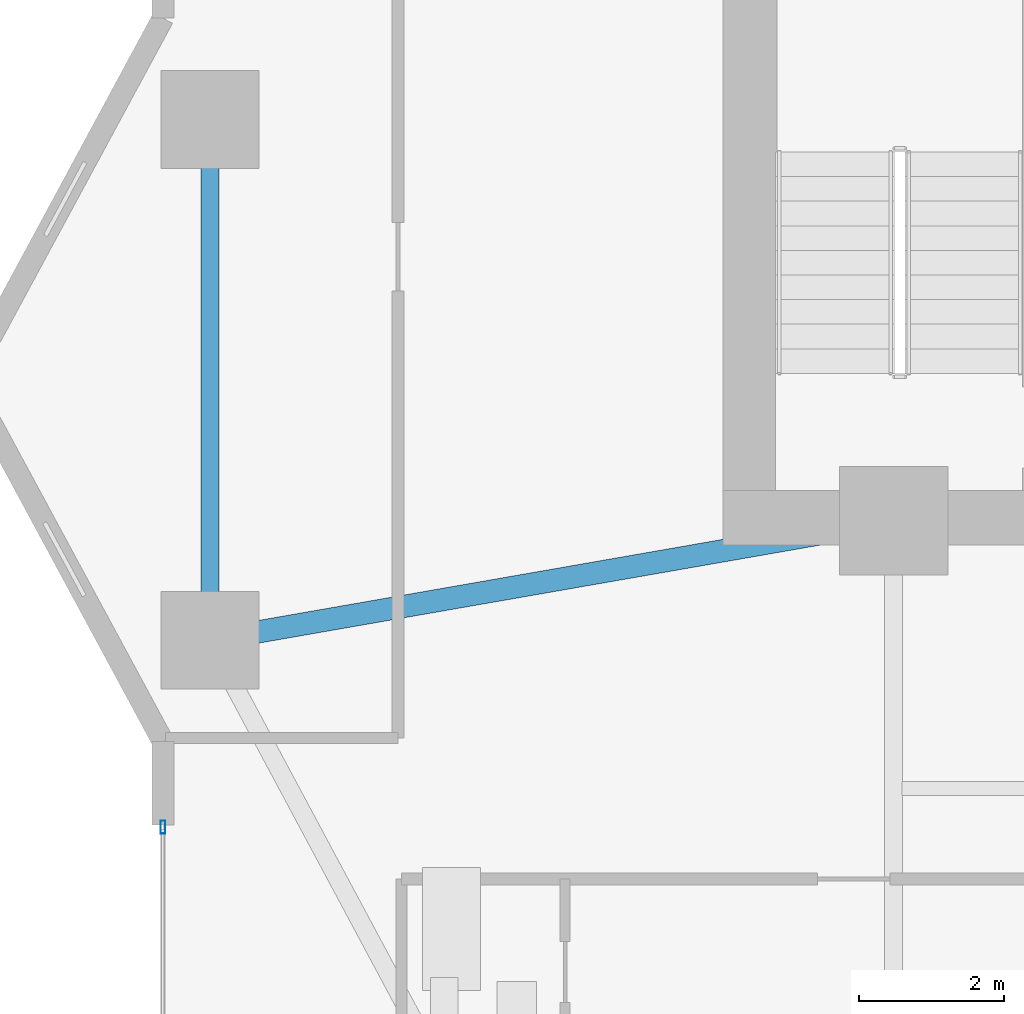
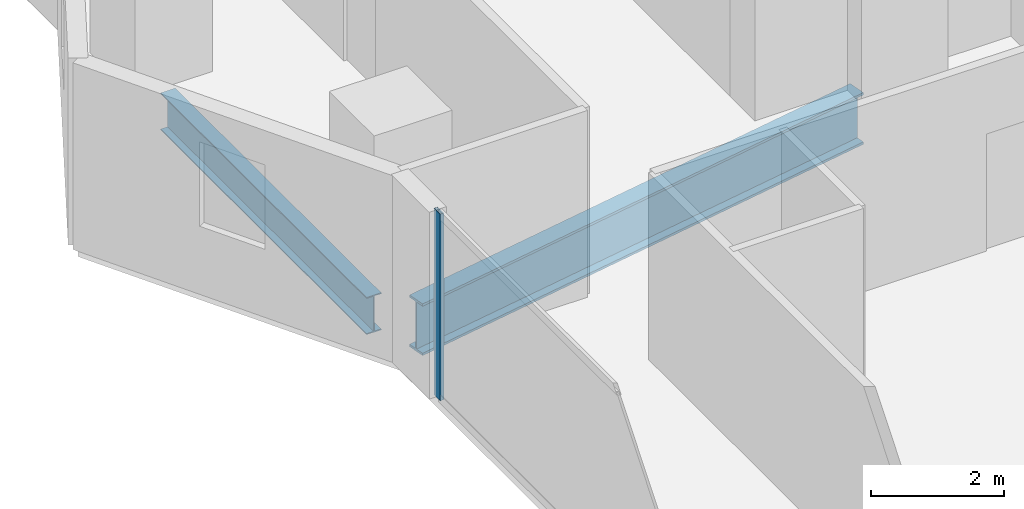
# One storey, part 7 of 30: 2 beams, 1 member, 1 element without a shape of its own.
"""IFC4 building model written with IfcOpenShell, lengths in metres."""

from ifc_helpers import new_model, si_unit, direction, frame, origin, origin_2d, place, context, subcontext, project, spatial, hollow_rectangle, i_section, extrude, material, layer, layer_set, material_profile, profile_set, type_object, element, aggregate, save


model = new_model("IFC4")

# Units and contexts
model_context = context("Model", 3, precision=1e-05, world=origin(), true_north=direction((0.0, 1.0)))
body_context = subcontext(model_context, "Body", "Model", "MODEL_VIEW")
ifc_project = project(units=[si_unit("LENGTHUNIT", "METRE"), si_unit("AREAUNIT", "SQUARE_METRE"), si_unit("VOLUMEUNIT", "CUBIC_METRE"), si_unit("PLANEANGLEUNIT", "RADIAN"), si_unit("MASSUNIT", "GRAM", prefix="KILO")], contexts=[model_context])

# Site, building, storey
site_placement = place(None, origin())
site = spatial("IfcSite", under=ifc_project, at=site_placement, CompositionType="ELEMENT")
building_placement = place(site_placement, origin())
building = spatial("IfcBuilding", under=site, at=building_placement, Name="Zuhayl Quay Hotel", CompositionType="ELEMENT")
storey_placement = place(building_placement, frame((0.0, 0.0, 135.800048828125)))
storey = spatial("IfcBuildingStorey", under=building, at=storey_placement, Name="L34", CompositionType="ELEMENT", Elevation=135.800048828125)

# Beams
ifc_material_1 = material(Name="Steel ASTM A992 Grade 50", Category="steel")
ifc_material_profile_1 = material_profile(ifc_material_1, i_section(OverallWidth=0.25390625, OverallDepth=0.68310546875, WebThickness=0.012451171875, FlangeThickness=0.018798828125, at=origin_2d()), Name="W27X94")
ifc_profile_set_1 = profile_set([ifc_material_profile_1], Name="Steel ASTM A992 Grade 50")
beam_type_1 = type_object("IfcBeamType", Name="BM_B2_W27X94", PredefinedType="BEAM", material=ifc_profile_set_1)
beam_1_placement = place(storey_placement, frame((-23.25, 9.60009765625, -0.5615234375), z_axis=(0.0, -1.0, 0.0), x_axis=(1.0, 0.0, 0.0)))
element("IfcBeam", 1, at=beam_1_placement, inside=storey, type_object=beam_type_1, Name="L34 Floor Beam RG_L34_11", PredefinedType="BEAM", context=body_context, shape_type="SweptSolid", body=[
    extrude(i_section(OverallWidth=0.25390625, OverallDepth=0.68310546875, WebThickness=0.012451171875, FlangeThickness=0.018798828125, at=origin_2d()), origin(), (0.0, 0.0, 1.0), 6.2001953125),
])
ifc_material_profile_2 = material_profile(ifc_material_1, i_section(OverallWidth=0.31005859375, OverallDepth=0.949951171875, WebThickness=0.0244140625, FlangeThickness=0.0439453125, at=origin_2d()), Name="W36X256")
ifc_profile_set_2 = profile_set([ifc_material_profile_2], Name="Steel ASTM A992 Grade 50")
beam_type_2 = type_object("IfcBeamType", Name="BM_PG1_W36X256", PredefinedType="BEAM", material=ifc_profile_set_2)
beam_2_placement = place(storey_placement, frame((-22.757568359375, 2.986083984375, -0.695068359375), z_axis=(0.985097302632, 0.171997977741, 0.0), x_axis=(-0.171997977741, 0.985097302632, 0.0)))
element("IfcBeam", 2, at=beam_2_placement, inside=storey, type_object=beam_type_2, Name="L34 Floor Beam FG_W_L34_1", PredefinedType="BEAM", context=body_context, shape_type="SweptSolid", body=[
    extrude(i_section(OverallWidth=0.31005859375, OverallDepth=0.949951171875, WebThickness=0.0244140625, FlangeThickness=0.0439453125, at=origin_2d()), origin(), (0.0, 0.0, 1.0), 8.64306640625),
])

# Curtain wall, member
ifc_material_2 = material(Name="Anodised Aluminium 6063-T6", Category="aluminium")
ifc_layer = layer(ifc_material_2, 0.179931640625, Name="Anodised Aluminium 6063-T6", Category="aluminium")
ifc_layer_set = layer_set([ifc_layer], Name="Anodised Aluminium 6063-T6")
curtain_wall_type = type_object("IfcCurtainWallType", Name="CW_SYS_Z2", PredefinedType="USERDEFINED", material=ifc_layer_set)
curtain_wall_placement = place(storey_placement, origin())
curtain_wall = element("IfcCurtainWall", 3, at=curtain_wall_placement, inside=storey, type_object=curtain_wall_type, Name="L34 Curtain Wall ENV_L34_E02_CW1", ObjectType="UNITISED CURTAIN WALL", PredefinedType="USERDEFINED")
ifc_material_3 = material(Name="Black-anodised aluminium 6063-T6", Category="aluminium")
ifc_material_profile_3 = material_profile(ifc_material_3, hollow_rectangle(XDim=0.06494140625, YDim=0.179931640625, WallThickness=0.00341796875, at=origin_2d()), Name="ALU180X65")
ifc_profile_set_3 = profile_set([ifc_material_profile_3], Name="Black-anodised aluminium 6063-T6")
member_type = type_object("IfcMemberType", Name="MB_CW_MUL_180", PredefinedType="MULLION", material=ifc_profile_set_3)
member_placement = place(storey_placement, frame((-23.89990234375, 0.3173828125, 0.0), z_axis=(0.0, 0.0, 1.0), x_axis=(-1.0, 0.0, 0.0)))
member = element("IfcMember", 4, at=member_placement, type_object=member_type, Name="CW-Z2 mullion 2", PredefinedType="MULLION", context=body_context, shape_type="SweptSolid", body=[
    extrude(hollow_rectangle(XDim=0.06494140625, YDim=0.179931640625, WallThickness=0.00341796875, at=origin_2d()), origin(), (0.0, 0.0, 1.0), 3.429931640625),
])
aggregate(curtain_wall, [member])

save(model, "model.ifc")
